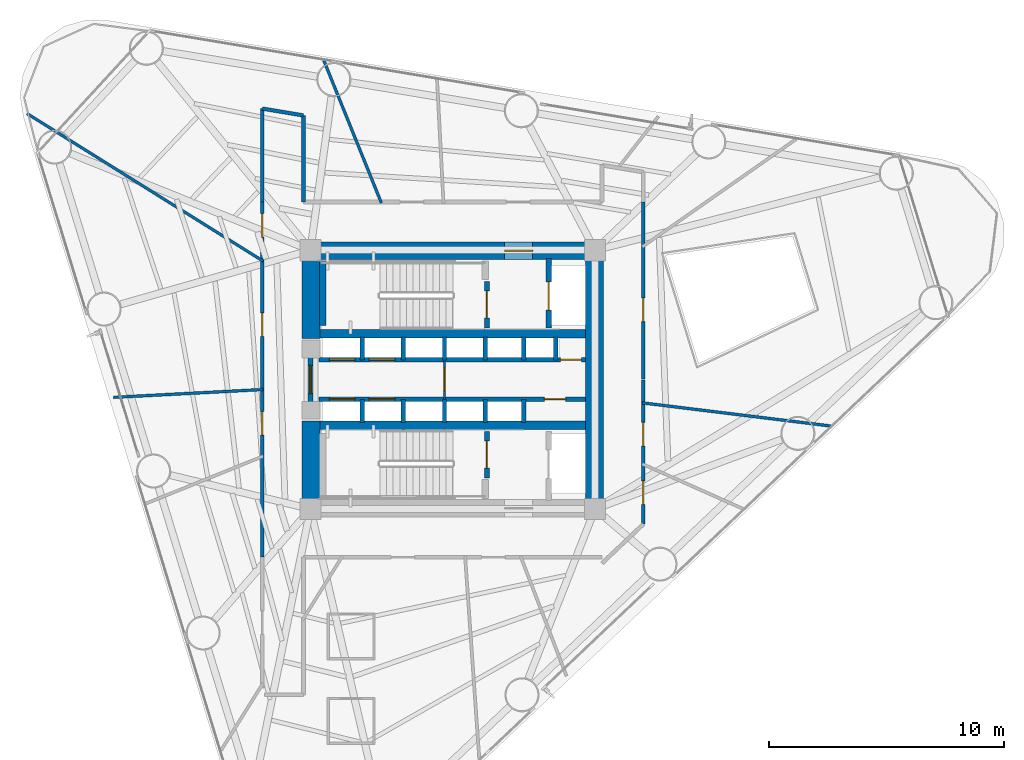
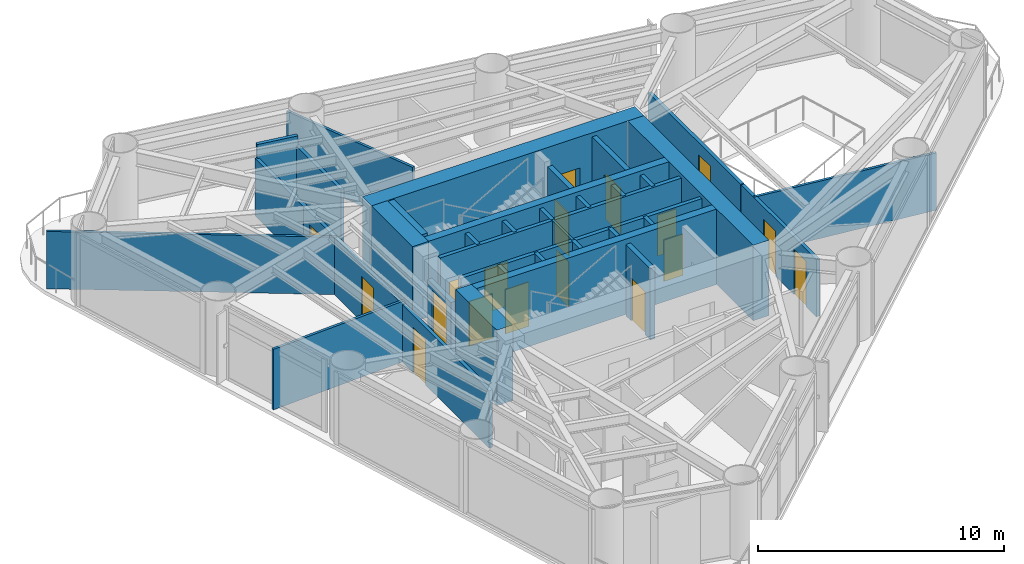
# One storey, part 6 of 10: 35 walls, 18 doors, 18 openings.
"""IFC4 building model written with IfcOpenShell, lengths in metres."""

import ifcopenshell
import ifcopenshell.guid

model = None  # the IFC model being written
_history = None  # IfcOwnerHistory: only IFC2X3 demands one
_inside = {}  # id of a spatial element -> (the spatial element, [elements in it])
_under = {}  # id of a project, library or spatial element -> (it, [spatial elements below it])
_declared = {}  # id of a project -> (the project, [libraries it declares])
_typed = {}  # id of a type object -> (the type object, [elements of that type])
_made_of = {}  # id of a material, layer set ... -> (it, [elements and type objects made of it])


def new_model(schema):
    """Start an empty IFC model of exactly this schema.

    Asked for "IFC4X3", IfcOpenShell would pick the latest addendum, in which some entities
    have other attributes; the version numbers below select the first issue.
    IFC2X3 requires an IfcOwnerHistory on every rooted entity: one is made here for all.
    """
    global model, _history
    if schema == "IFC4X3":
        model = ifcopenshell.file(schema_version=(4, 3, 0, 0))
    else:
        model = ifcopenshell.file(schema=schema)
    _inside.clear()
    _under.clear()
    _declared.clear()
    _typed.clear()
    _made_of.clear()
    _history = None
    if model.schema == "IFC2X3":
        org = make("IfcOrganization", Name="unknown")
        user = make(
            "IfcPersonAndOrganization",
            ThePerson=make("IfcPerson", FamilyName="unknown"),
            TheOrganization=org,
        )
        app = make(
            "IfcApplication",
            ApplicationDeveloper=org,
            Version="unknown",
            ApplicationFullName="unknown",
            ApplicationIdentifier="unknown",
        )
        _history = make(
            "IfcOwnerHistory",
            OwningUser=user,
            OwningApplication=app,
            ChangeAction="ADDED",
            CreationDate=0,
        )
    return model


def make(cls, **values):
    """One entity of the class cls with the attributes given. An attribute that is None is left unset."""
    return model.create_entity(
        cls, **{name: value for name, value in values.items() if value is not None}
    )


def rooted(cls, **values):
    """An entity with a GlobalId (a new one), such as an element, a storey or a relation."""
    return make(cls, GlobalId=ifcopenshell.guid.new(), OwnerHistory=_history, **values)


def si_unit(unit_type, name, prefix=None):
    """IfcSIUnit, for example si_unit("LENGTHUNIT", "METRE", prefix="MILLI")."""
    return make("IfcSIUnit", UnitType=unit_type, Prefix=prefix, Name=name)


def assignment(units):
    """IfcUnitAssignment: the units of a project."""
    return None if units is None else make("IfcUnitAssignment", Units=units)


def point(xyz):
    """IfcCartesianPoint."""
    return None if xyz is None else make("IfcCartesianPoint", Coordinates=xyz)


def direction(xyz):
    """IfcDirection."""
    return None if xyz is None else make("IfcDirection", DirectionRatios=xyz)


def frame(location, z_axis=None, x_axis=None):
    """IfcAxis2Placement3D, a coordinate frame: its origin and axes. An axis left out is left unset."""
    return make(
        "IfcAxis2Placement3D",
        Location=point(location),
        Axis=direction(z_axis),
        RefDirection=direction(x_axis),
    )


def frame_2d(location, x_axis=None):
    """IfcAxis2Placement2D, a coordinate frame in the plane: its origin and x axis."""
    return make(
        "IfcAxis2Placement2D", Location=point(location), RefDirection=direction(x_axis)
    )


def origin():
    """The frame at (0, 0, 0) with its axes left unset."""
    return frame((0.0, 0.0, 0.0))


def place(relative_to, where):
    """IfcLocalPlacement: puts the frame where relative to a parent placement (None: the world)."""
    return make(
        "IfcLocalPlacement", PlacementRelTo=relative_to, RelativePlacement=where
    )


def context(
    kind, dimensions, precision=None, world=None, true_north=None, identifier=None
):
    """IfcGeometricRepresentationContext, for example the 3D "Model" context."""
    return make(
        "IfcGeometricRepresentationContext",
        ContextIdentifier=identifier,
        ContextType=kind,
        CoordinateSpaceDimension=dimensions,
        Precision=precision,
        WorldCoordinateSystem=world,
        TrueNorth=true_north,
    )


def subcontext(parent, identifier, kind, view, scale=None):
    """IfcGeometricRepresentationSubContext, for example "Body" below "Model"."""
    return make(
        "IfcGeometricRepresentationSubContext",
        ContextIdentifier=identifier,
        ContextType=kind,
        ParentContext=parent,
        TargetScale=scale,
        TargetView=view,
    )


def project(units=None, contexts=None):
    """IfcProject with its units and contexts."""
    return rooted(
        "IfcProject",
        Name="project",
        RepresentationContexts=contexts,
        UnitsInContext=assignment(units),
    )


def spatial(cls, under=None, at=None, **own):
    """A site, building, storey or space (cls), placed at a placement, below another one or the project."""
    s = rooted(cls, ObjectPlacement=at, **own)
    if under is not None:
        _under.setdefault(under.id(), (under, []))[1].append(s)
    return s


def profile(cls, at=None, kind="AREA", **sizes):
    """A parametric profile (cls). Its sizes go by their IFC names, for example OverallWidth=200.0."""
    return make(cls, ProfileType=kind, Position=at, **sizes)


def rectangle(**sizes):
    """IfcRectangleProfileDef."""
    return profile("IfcRectangleProfileDef", **sizes)


def extrude(swept, where, along, depth):
    """IfcExtrudedAreaSolid: the profile swept, set in the frame where, extruded along a direction by depth."""
    return make(
        "IfcExtrudedAreaSolid",
        SweptArea=swept,
        Position=where,
        ExtrudedDirection=direction(along),
        Depth=depth,
    )


def shape(context_of_items, identifier, shape_type, items):
    """IfcShapeRepresentation: the items that make up one representation, for example the "Body"."""
    return make(
        "IfcShapeRepresentation",
        ContextOfItems=context_of_items,
        RepresentationIdentifier=identifier,
        RepresentationType=shape_type,
        Items=items,
    )


def material(Name=None, Category=None):
    """IfcMaterial."""
    return make("IfcMaterial", Name=Name, Category=Category)


def layer(
    of_material, thickness, ventilated=None, Name=None, Category=None, Priority=None
):
    """IfcMaterialLayer: one layer of a wall or slab, of a material (None: an air gap)."""
    return make(
        "IfcMaterialLayer",
        Material=of_material,
        LayerThickness=thickness,
        IsVentilated=ventilated,
        Name=Name,
        Category=Category,
        Priority=Priority,
    )


def layer_set(layers, Name=None):
    """IfcMaterialLayerSet."""
    return make("IfcMaterialLayerSet", MaterialLayers=layers, LayerSetName=Name)


def made_of(thing, what):
    """Note that an element or type object is made of a material, layer set ...; save() writes the relation."""
    if what is not None:
        _made_of.setdefault(what.id(), (what, []))[1].append(thing)
    return thing


def type_object(cls, material=None, **own):
    """A type object (cls), such as IfcWallType, which elements share."""
    return made_of(rooted(cls, **own), material)


def element(
    cls,
    number,
    at=None,
    inside=None,
    cuts=None,
    type_object=None,
    material=None,
    context=None,
    identifier="Body",
    shape_type=None,
    held_by="IfcProductDefinitionShape",
    body=None,
    shapes=None,
    **own,
):
    """One element of the class cls, such as IfcWall. Its Tag is "e" and its number.

    at: its placement. inside: the storey or other place that contains it. cuts: it is an
    opening in that element (IfcRelVoidsElement). A single representation is given by context,
    identifier, shape_type and body (its items); several are given by shapes. held_by: the class
    of the entity that holds the representations. save() writes the other relations.
    """
    e = rooted(cls, Tag="e%d" % number, ObjectPlacement=at, **own)
    if body is not None:
        shapes = [shape(context, identifier, shape_type, body)]
    if shapes is not None:
        e.Representation = make(held_by, Representations=shapes)
    if inside is not None:
        _inside.setdefault(inside.id(), (inside, []))[1].append(e)
    if cuts is not None:
        rooted(
            "IfcRelVoidsElement", RelatingBuildingElement=cuts, RelatedOpeningElement=e
        )
    if type_object is not None:
        _typed.setdefault(type_object.id(), (type_object, []))[1].append(e)
    return made_of(e, material)


def fill(opening, filler):
    """IfcRelFillsElement: the door or window that sits in an opening."""
    return rooted(
        "IfcRelFillsElement",
        RelatingOpeningElement=opening,
        RelatedBuildingElement=filler,
    )


def aggregate(whole, parts):
    """IfcRelAggregates: a whole, such as a stair, and the parts it consists of."""
    return rooted("IfcRelAggregates", RelatingObject=whole, RelatedObjects=parts)


def save(model, path):
    """Write the relations noted so far, then the file.

    IfcRelAggregates (storeys below a building ...), IfcRelContainedInSpatialStructure (elements
    in a storey), IfcRelDefinesByType, IfcRelAssociatesMaterial and IfcRelDeclares: one each for
    every whole, place, type object, material and project.
    """
    for whole, parts in _under.values():
        aggregate(whole, parts)
    for where, things in _inside.values():
        rooted(
            "IfcRelContainedInSpatialStructure",
            RelatedElements=things,
            RelatingStructure=where,
        )
    for kind, things in _typed.values():
        rooted("IfcRelDefinesByType", RelatedObjects=things, RelatingType=kind)
    for what, things in _made_of.values():
        rooted("IfcRelAssociatesMaterial", RelatedObjects=things, RelatingMaterial=what)
    for by, libraries in _declared.values():
        rooted("IfcRelDeclares", RelatingContext=by, RelatedDefinitions=libraries)
    model.write(path)


model = new_model("IFC4")

# Units and contexts
model_context = context("Model", 3, precision=1e-05, world=origin(), true_north=direction((0.0, 1.0)))
body_context = subcontext(model_context, "Body", "Model", "MODEL_VIEW")
ifc_project = project(units=[si_unit("LENGTHUNIT", "METRE"), si_unit("AREAUNIT", "SQUARE_METRE"), si_unit("VOLUMEUNIT", "CUBIC_METRE"), si_unit("PLANEANGLEUNIT", "RADIAN"), si_unit("MASSUNIT", "GRAM", prefix="KILO")], contexts=[model_context])

# Site, building, storey
site_placement = place(None, origin())
site = spatial("IfcSite", under=ifc_project, at=site_placement, CompositionType="ELEMENT")
building_placement = place(site_placement, origin())
building = spatial("IfcBuilding", under=site, at=building_placement, Name="Yunling Apex Tower", CompositionType="ELEMENT")
storey_placement = place(building_placement, frame((0.0, 0.0, 108.64990234375)))
storey = spatial("IfcBuildingStorey", under=building, at=storey_placement, Name="L27", CompositionType="ELEMENT", Elevation=108.64990234375)

# Wall, opening, door
ifc_material_1 = material(Name="Concrete C60", Category="concrete")
ifc_layer_1 = layer(ifc_material_1, 0.75)
ifc_layer_set_1 = layer_set([ifc_layer_1], Name="Concrete C60")
wall_type_1 = type_object("IfcWallType", Name="WL-COR-1", PredefinedType="SHEAR", material=ifc_layer_set_1)
wall_1_placement = place(storey_placement, frame((-6.39990234375, 5.47509765625, 0.0), z_axis=(0.0, 0.0, 1.0), x_axis=(1.0, 0.0, 0.0)))
wall_1 = element("IfcWall", 1, at=wall_1_placement, inside=storey, type_object=wall_type_1, Name="L27 North Core Shear Wall", PredefinedType="SHEAR", context=body_context, shape_type="SweptSolid", body=[
    extrude(rectangle(XDim=12.7998046875, YDim=0.75, at=frame_2d((6.39990234375, 0.0))), origin(), (0.0, 0.0, 1.0), 3.75),
])
opening_1_placement = place(wall_1_placement, frame((8.60009765625, 0.0, 0.0)))
opening_1 = element("IfcOpeningElement", 2, at=opening_1_placement, cuts=wall_1, Name="Opening DR-FFL-1", PredefinedType="OPENING", context=body_context, shape_type="SweptSolid", body=[
    extrude(rectangle(XDim=1.199951171875, YDim=2.199951171875, at=frame_2d((0.60009765625, 1.10009765625))), frame((0.0, 0.385009765625, 0.0), z_axis=(0.0, -1.0, 0.0), x_axis=(1.0, 0.0, 0.0)), (0.0, 0.0, 1.0), 0.77001953125),
])
ifc_material_2 = material(Name="Steel Q355B", Category="steel")
door_type_1 = type_object("IfcDoorType", Name="DR-FFL-1", OperationType="NOTDEFINED", PredefinedType="DOOR", material=ifc_material_2)
door_1_placement = place(opening_1_placement, origin())
door_1 = element("IfcDoor", 3, at=door_1_placement, inside=storey, type_object=door_type_1, Name="L27 North Firefighting Lobby Door", OperationType="SINGLE_SWING_LEFT", OverallHeight=2.199951171875, OverallWidth=1.199951171875, PredefinedType="DOOR", context=body_context, shape_type="SweptSolid", body=[
    extrude(rectangle(XDim=1.199951171875, YDim=2.199951171875, at=frame_2d((0.60009765625, 1.10009765625))), frame((0.0, 0.02490234375, 0.0), z_axis=(0.0, -1.0, 0.0), x_axis=(1.0, 0.0, 0.0)), (0.0, 0.0, 1.0), 0.050048828125),
])
fill(opening_1, door_1)

# Walls
wall_2_placement = place(storey_placement, frame((6.02490234375, -5.10009765625, 0.0), z_axis=(0.0, 0.0, 1.0), x_axis=(0.0, 1.0, 0.0)))
element("IfcWall", 4, at=wall_2_placement, inside=storey, type_object=wall_type_1, Name="L27 East Core Shear Wall", PredefinedType="SHEAR", context=body_context, shape_type="SweptSolid", body=[
    extrude(rectangle(XDim=10.2001953125, YDim=0.75, at=frame_2d((5.10009765625, 0.0))), origin(), (0.0, 0.0, 1.0), 3.75),
])
for number, where, z_axis, x_axis, name in (
    (5, (-6.02490234375, -5.10009765625, 0.0), (0.0, 0.0, 1.0), (0.0, 1.0, 0.0), "L27 West-South Core Shear Wall"),
    (6, (-6.02490234375, 1.75, 0.0), (0.0, 0.0, 1.0), (0.0, 1.0, 0.0), "L27 West-North Core Shear Wall"),
):
    element("IfcWall", number, at=place(storey_placement, frame(where, z_axis=z_axis, x_axis=x_axis)), inside=storey, type_object=wall_type_1, Name=name, PredefinedType="SHEAR", context=body_context, shape_type="SweptSolid", body=[
        extrude(rectangle(XDim=3.35009765625, YDim=0.75, at=frame_2d((1.675048828125, 0.0))), origin(), (0.0, 0.0, 1.0), 3.75),
    ])
ifc_material_3 = material(Name="Concrete C40", Category="concrete")
ifc_layer_2 = layer(ifc_material_3, 0.360107421875)
ifc_layer_set_2 = layer_set([ifc_layer_2], Name="Concrete C40")
wall_type_2 = type_object("IfcWallType", Name="WL-COR-4", PredefinedType="SHEAR", material=ifc_layer_set_2)
for number, where, z_axis, x_axis, name in (
    (7, (-5.64990234375, 1.93994140625, 0.0), (0.0, 0.0, 1.0), (1.0, 0.0, 0.0), "L27 North Internal Core Shear Wall"),
    (8, (-5.64990234375, -1.93994140625, 0.0), (0.0, 0.0, 1.0), (1.0, 0.0, 0.0), "L27 South Internal Core Shear Wall"),
):
    element("IfcWall", number, at=place(storey_placement, frame(where, z_axis=z_axis, x_axis=x_axis)), inside=storey, type_object=wall_type_2, Name=name, PredefinedType="SHEAR", context=body_context, shape_type="SweptSolid", body=[
        extrude(rectangle(XDim=11.2998046875, YDim=0.360107421875, at=frame_2d((5.64990234375, 0.0))), origin(), (0.0, 0.0, 1.0), 3.75),
    ])
ifc_layer_3 = layer(ifc_material_3, 0.280029296875)
ifc_layer_set_3 = layer_set([ifc_layer_3], Name="Concrete C40")
wall_type_3 = type_object("IfcWallType", Name="WL-COR-8", PredefinedType="SHEAR", material=ifc_layer_set_3)
wall_3_placement = place(storey_placement, frame((-5.52001953125, 2.300048828125, 0.0), z_axis=(0.0, 0.0, 1.0), x_axis=(0.0, 1.0, 0.0)))
element("IfcWall", 9, at=wall_3_placement, inside=storey, type_object=wall_type_3, Name="L27 ST-1 West Landing Bearing Wall", PredefinedType="SHEAR", context=body_context, shape_type="SweptSolid", body=[
    extrude(rectangle(XDim=2.75, YDim=0.280029296875, at=frame_2d((1.375, 0.0))), origin(), (0.0, 0.0, 1.0), 3.75),
])

# Wall, openings, doors
ifc_material_4 = material(Name="Gypsum board acoustic partition")
ifc_layer_4 = layer(ifc_material_4, 0.159912109375)
ifc_layer_set_4 = layer_set([ifc_layer_4], Name="Gypsum board acoustic partition")
wall_type_4 = type_object("IfcWallType", Name="WL-PRT-1", PredefinedType="PARTITIONING", material=ifc_layer_set_4)
wall_4_placement = place(storey_placement, frame((-8.10009765625, -7.550048828125, 0.0), z_axis=(0.0, 0.0, 1.0), x_axis=(0.0, 1.0, 0.0)))
wall_4 = element("IfcWall", 10, at=wall_4_placement, inside=storey, type_object=wall_type_4, Name="WL-CORR-L27-03", PredefinedType="PARTITIONING", context=body_context, shape_type="SweptSolid", body=[
    extrude(rectangle(XDim=15.10009765625, YDim=0.159912109375, at=frame_2d((7.550048828125, 0.0))), origin(), (0.0, 0.0, 1.0), 2.85009765625),
])
opening_2_placement = place(wall_4_placement, frame((5.185302734375, 0.0, 0.0)))
opening_2 = element("IfcOpeningElement", 11, at=opening_2_placement, cuts=wall_4, Name="Opening DR-OFF-1", PredefinedType="OPENING", context=body_context, shape_type="SweptSolid", body=[
    extrude(rectangle(XDim=1.0, YDim=2.25, at=frame_2d((0.5, 1.125))), frame((0.0, 0.08984375, 0.0), z_axis=(0.0, -1.0, 0.0), x_axis=(1.0, 0.0, 0.0)), (0.0, 0.0, 1.0), 0.179931640625),
])
opening_3_placement = place(wall_4_placement, frame((9.390380859375, 0.0, 0.0)))
opening_3 = element("IfcOpeningElement", 12, at=opening_3_placement, cuts=wall_4, Name="Opening DR-OFF-1", PredefinedType="OPENING", context=body_context, shape_type="SweptSolid", body=[
    extrude(rectangle(XDim=1.0, YDim=2.25, at=frame_2d((0.5, 1.125))), frame((0.0, 0.08984375, 0.0), z_axis=(0.0, -1.0, 0.0), x_axis=(1.0, 0.0, 0.0)), (0.0, 0.0, 1.0), 0.179931640625),
])
opening_4_placement = place(wall_4_placement, frame((13.607421875, 0.0, 0.0)))
opening_4 = element("IfcOpeningElement", 13, at=opening_4_placement, cuts=wall_4, Name="Opening DR-OFF-1", PredefinedType="OPENING", context=body_context, shape_type="SweptSolid", body=[
    extrude(rectangle(XDim=1.0, YDim=2.25, at=frame_2d((0.5, 1.125))), frame((0.0, 0.08984375, 0.0), z_axis=(0.0, -1.0, 0.0), x_axis=(1.0, 0.0, 0.0)), (0.0, 0.0, 1.0), 0.179931640625),
])
ifc_material_5 = material(Name="Bronze anodised aluminium", Category="aluminium")
door_type_2 = type_object("IfcDoorType", Name="DR-OFF-1", OperationType="NOTDEFINED", PredefinedType="DOOR", material=ifc_material_5)
door_2_placement = place(opening_2_placement, origin())
door_2 = element("IfcDoor", 14, at=door_2_placement, inside=storey, type_object=door_type_2, Name="L27 Business Reading Lounge Door", OperationType="SINGLE_SWING_RIGHT", OverallHeight=2.25, OverallWidth=1.0, PredefinedType="DOOR", context=body_context, shape_type="SweptSolid", body=[
    extrude(rectangle(XDim=1.0, YDim=2.25, at=frame_2d((0.5, 1.125))), frame((0.0, 0.02490234375, 0.0), z_axis=(0.0, -1.0, 0.0), x_axis=(1.0, 0.0, 0.0)), (0.0, 0.0, 1.0), 0.050048828125),
])
fill(opening_2, door_2)
door_3_placement = place(opening_3_placement, origin())
door_3 = element("IfcDoor", 15, at=door_3_placement, inside=storey, type_object=door_type_2, Name="L27 Document Archive Store Door", OperationType="SINGLE_SWING_LEFT", OverallHeight=2.25, OverallWidth=1.0, PredefinedType="DOOR", context=body_context, shape_type="SweptSolid", body=[
    extrude(rectangle(XDim=1.0, YDim=2.25, at=frame_2d((0.5, 1.125))), frame((0.0, 0.02490234375, 0.0), z_axis=(0.0, -1.0, 0.0), x_axis=(1.0, 0.0, 0.0)), (0.0, 0.0, 1.0), 0.050048828125),
])
fill(opening_3, door_3)
door_4_placement = place(opening_4_placement, origin())
door_4 = element("IfcDoor", 16, at=door_4_placement, inside=storey, type_object=door_type_2, Name="L27 Client Reception Foyer Door", OperationType="SINGLE_SWING_RIGHT", OverallHeight=2.25, OverallWidth=1.0, PredefinedType="DOOR", context=body_context, shape_type="SweptSolid", body=[
    extrude(rectangle(XDim=1.0, YDim=2.25, at=frame_2d((0.5, 1.125))), frame((0.0, 0.02490234375, 0.0), z_axis=(0.0, -1.0, 0.0), x_axis=(1.0, 0.0, 0.0)), (0.0, 0.0, 1.0), 0.050048828125),
])
fill(opening_4, door_4)

# Walls
wall_5_placement = place(storey_placement, frame((-8.10009765625, 7.550048828125, 0.0), z_axis=(0.0, 0.0, 1.0), x_axis=(0.0, 1.0, 0.0)))
element("IfcWall", 17, at=wall_5_placement, inside=storey, type_object=wall_type_4, Name="WL-CORR-L27-04", PredefinedType="PARTITIONING", context=body_context, shape_type="SweptSolid", body=[
    extrude(rectangle(XDim=3.970703125, YDim=0.159912109375, at=frame_2d((1.9853515625, 0.0))), origin(), (0.0, 0.0, 1.0), 2.85009765625),
])
wall_6_placement = place(storey_placement, frame((-8.10009765625, 11.520751953125, 0.0), z_axis=(0.0, 0.0, 1.0), x_axis=(0.986408796856, -0.164309724253, 0.0)))
element("IfcWall", 18, at=wall_6_placement, inside=storey, type_object=wall_type_4, Name="WL-CORR-L27-05", PredefinedType="PARTITIONING", context=body_context, shape_type="SweptSolid", body=[
    extrude(rectangle(XDim=1.774169921875, YDim=0.159912109375, at=frame_2d((0.88720703125, 0.0))), origin(), (0.0, 0.0, 1.0), 3.545166015625),
])
wall_7_placement = place(storey_placement, frame((-6.35009765625, 11.229248046875, 0.0), z_axis=(0.0, 0.0, 1.0), x_axis=(0.0, -1.0, 0.0)))
element("IfcWall", 19, at=wall_7_placement, inside=storey, type_object=wall_type_4, Name="WL-CORR-L27-06", PredefinedType="PARTITIONING", context=body_context, shape_type="SweptSolid", body=[
    extrude(rectangle(XDim=3.67919921875, YDim=0.159912109375, at=frame_2d((1.839599609375, 0.0))), origin(), (0.0, 0.0, 1.0), 3.050048828125),
])

# Wall, opening, door
wall_8_placement = place(storey_placement, frame((8.10009765625, 7.550048828125, 0.0), z_axis=(0.0, 0.0, 1.0), x_axis=(0.0, -1.0, 0.0)))
wall_8 = element("IfcWall", 20, at=wall_8_placement, inside=storey, type_object=wall_type_4, Name="WL-CORR-L27-11", PredefinedType="PARTITIONING", context=body_context, shape_type="SweptSolid", body=[
    extrude(rectangle(XDim=7.530029296875, YDim=0.159912109375, at=frame_2d((3.76513671875, 0.0))), origin(), (0.0, 0.0, 1.0), 2.85009765625),
])
opening_5_placement = place(wall_8_placement, frame((4.08203125, 0.0, 0.0)))
opening_5 = element("IfcOpeningElement", 21, at=opening_5_placement, cuts=wall_8, Name="Opening DR-OFF-1", PredefinedType="OPENING", context=body_context, shape_type="SweptSolid", body=[
    extrude(rectangle(XDim=1.0, YDim=2.25, at=frame_2d((0.5, 1.125))), frame((0.0, 0.08984375, 0.0), z_axis=(0.0, -1.0, 0.0), x_axis=(1.0, 0.0, 0.0)), (0.0, 0.0, 1.0), 0.179931640625),
])
door_5_placement = place(opening_5_placement, origin())
door_5 = element("IfcDoor", 22, at=door_5_placement, inside=storey, type_object=door_type_2, Name="L27 Executive Office Door", OperationType="SINGLE_SWING_LEFT", OverallHeight=2.25, OverallWidth=1.0, PredefinedType="DOOR", context=body_context, shape_type="SweptSolid", body=[
    extrude(rectangle(XDim=1.0, YDim=2.25, at=frame_2d((0.5, 1.125))), frame((0.0, 0.02490234375, 0.0), z_axis=(0.0, -1.0, 0.0), x_axis=(1.0, 0.0, 0.0)), (0.0, 0.0, 1.0), 0.050048828125),
])
fill(opening_5, door_5)

# Wall, openings, doors
wall_9_placement = place(storey_placement, frame((8.10009765625, -0.02001953125, 0.0), z_axis=(0.0, 0.0, 1.0), x_axis=(0.0, -1.0, 0.0)))
wall_9 = element("IfcWall", 23, at=wall_9_placement, inside=storey, type_object=wall_type_4, Name="WL-CORR-L27-12", PredefinedType="PARTITIONING", context=body_context, shape_type="SweptSolid", body=[
    extrude(rectangle(XDim=6.126220703125, YDim=0.159912109375, at=frame_2d((3.06298828125, 0.0))), origin(), (0.0, 0.0, 1.0), 2.85009765625),
])
opening_6_placement = place(wall_9_placement, frame((1.801025390625, 0.0, 0.0)))
opening_6 = element("IfcOpeningElement", 24, at=opening_6_placement, cuts=wall_9, Name="Opening DR-OFF-1", PredefinedType="OPENING", context=body_context, shape_type="SweptSolid", body=[
    extrude(rectangle(XDim=1.0, YDim=2.25, at=frame_2d((0.5, 1.125))), frame((0.0, 0.08984375, 0.0), z_axis=(0.0, -1.0, 0.0), x_axis=(1.0, 0.0, 0.0)), (0.0, 0.0, 1.0), 0.179931640625),
])
opening_7_placement = place(wall_9_placement, frame((4.28369140625, 0.0, 0.0)))
opening_7 = element("IfcOpeningElement", 25, at=opening_7_placement, cuts=wall_9, Name="Opening DR-OFF-1", PredefinedType="OPENING", context=body_context, shape_type="SweptSolid", body=[
    extrude(rectangle(XDim=1.0, YDim=2.25, at=frame_2d((0.5, 1.125))), frame((0.0, 0.08984375, 0.0), z_axis=(0.0, -1.0, 0.0), x_axis=(1.0, 0.0, 0.0)), (0.0, 0.0, 1.0), 0.179931640625),
])
door_6_placement = place(opening_6_placement, origin())
door_6 = element("IfcDoor", 26, at=door_6_placement, inside=storey, type_object=door_type_2, Name="L27 Document Archive Store Door", OperationType="SINGLE_SWING_RIGHT", OverallHeight=2.25, OverallWidth=1.0, PredefinedType="DOOR", context=body_context, shape_type="SweptSolid", body=[
    extrude(rectangle(XDim=1.0, YDim=2.25, at=frame_2d((0.5, 1.125))), frame((0.0, 0.02490234375, 0.0), z_axis=(0.0, -1.0, 0.0), x_axis=(1.0, 0.0, 0.0)), (0.0, 0.0, 1.0), 0.050048828125),
])
fill(opening_6, door_6)
door_7_placement = place(opening_7_placement, origin())
door_7 = element("IfcDoor", 27, at=door_7_placement, inside=storey, type_object=door_type_2, Name="L27 Client Reception Foyer Door", OperationType="SINGLE_SWING_LEFT", OverallHeight=2.25, OverallWidth=1.0, PredefinedType="DOOR", context=body_context, shape_type="SweptSolid", body=[
    extrude(rectangle(XDim=1.0, YDim=2.25, at=frame_2d((0.5, 1.125))), frame((0.0, 0.02490234375, 0.0), z_axis=(0.0, -1.0, 0.0), x_axis=(1.0, 0.0, 0.0)), (0.0, 0.0, 1.0), 0.050048828125),
])
fill(opening_7, door_7)

# Walls
ifc_layer_5 = layer(ifc_material_4, 0.1201171875)
ifc_layer_set_5 = layer_set([ifc_layer_5], Name="Gypsum board acoustic partition")
wall_type_5 = type_object("IfcWallType", Name="WL-PRT-3", PredefinedType="PARTITIONING", material=ifc_layer_set_5)
wall_10_placement = place(storey_placement, frame((-8.06005859375, -0.42236328125, 0.0), z_axis=(0.0, 0.0, 1.0), x_axis=(-0.998629334036, -0.052339786045, 0.0)))
element("IfcWall", 28, at=wall_10_placement, inside=storey, type_object=wall_type_5, Name="WL-RAD-L27-01", PredefinedType="PARTITIONING", context=body_context, shape_type="SweptSolid", body=[
    extrude(rectangle(XDim=6.37646484375, YDim=0.1201171875, at=frame_2d((3.188232421875, 0.0))), origin(), (0.0, 0.0, 1.0), 3.010009765625),
])
wall_11_placement = place(storey_placement, frame((8.06005859375, -0.989501953125, 0.0), z_axis=(0.0, 0.0, 1.0), x_axis=(0.99254191086, -0.121903876831, 0.0)))
element("IfcWall", 29, at=wall_11_placement, inside=storey, type_object=wall_type_5, Name="WL-RAD-L27-08", PredefinedType="PARTITIONING", context=body_context, shape_type="SweptSolid", body=[
    extrude(rectangle(XDim=8.052978515625, YDim=0.1201171875, at=frame_2d((4.0263671875, 0.0))), origin(), (0.0, 0.0, 1.0), 2.85009765625),
])
wall_12_placement = place(storey_placement, frame((-3.0341796875, 7.510009765625, 0.0), z_axis=(0.0, 0.0, 1.0), x_axis=(-0.37460229318, 0.927185591963, 0.0)))
element("IfcWall", 30, at=wall_12_placement, inside=storey, type_object=wall_type_5, Name="WL-RAD-L27-12", PredefinedType="PARTITIONING", context=body_context, shape_type="SweptSolid", body=[
    extrude(rectangle(XDim=6.5224609375, YDim=0.1201171875, at=frame_2d((3.26123046875, 0.0))), origin(), (0.0, 0.0, 1.0), 3.050048828125),
])
wall_13_placement = place(storey_placement, frame((-8.06005859375, 5.036376953125, 0.0), z_axis=(0.0, 0.0, 1.0), x_axis=(-0.848040015969, 0.529932195016, 0.0)))
element("IfcWall", 31, at=wall_13_placement, inside=storey, type_object=wall_type_5, Name="WL-RAD-L27-13", PredefinedType="PARTITIONING", context=body_context, shape_type="SweptSolid", body=[
    extrude(rectangle(XDim=11.8369140625, YDim=0.1201171875, at=frame_2d((5.91845703125, 0.0))), origin(), (0.0, 0.0, 1.0), 2.85009765625),
])

# Wall, opening, door
ifc_layer_6 = layer(ifc_material_4, 0.10009765625)
ifc_layer_set_6 = layer_set([ifc_layer_6], Name="Gypsum board acoustic partition")
wall_type_6 = type_object("IfcWallType", Name="WL-PRT-4", PredefinedType="PARTITIONING", material=ifc_layer_set_6)
wall_14_placement = place(storey_placement, frame((-0.35009765625, -0.840087890625, 0.0), z_axis=(0.0, 0.0, 1.0), x_axis=(0.0, 1.0, 0.0)))
wall_14 = element("IfcWall", 32, at=wall_14_placement, inside=storey, type_object=wall_type_6, Name="WL-LOB-MID-L27", PredefinedType="PARTITIONING", context=body_context, shape_type="SweptSolid", body=[
    extrude(rectangle(XDim=1.68017578125, YDim=0.10009765625, at=frame_2d((0.840087890625, 0.0))), origin(), (0.0, 0.0, 1.0), 3.545166015625),
])
opening_8_placement = place(wall_14_placement, frame((0.340087890625, 0.0, 0.0)))
opening_8 = element("IfcOpeningElement", 33, at=opening_8_placement, cuts=wall_14, Name="Opening DR-OFF-1", PredefinedType="OPENING", context=body_context, shape_type="SweptSolid", body=[
    extrude(rectangle(XDim=1.0, YDim=2.25, at=frame_2d((0.5, 1.125))), frame((0.0, 0.06005859375, 0.0), z_axis=(0.0, -1.0, 0.0), x_axis=(1.0, 0.0, 0.0)), (0.0, 0.0, 1.0), 0.1201171875),
])
door_8_placement = place(opening_8_placement, origin())
door_8 = element("IfcDoor", 34, at=door_8_placement, inside=storey, type_object=door_type_2, Name="L27 Core Lobby Link Door", OperationType="SINGLE_SWING_LEFT", OverallHeight=2.25, OverallWidth=1.0, PredefinedType="DOOR", context=body_context, shape_type="SweptSolid", body=[
    extrude(rectangle(XDim=1.0, YDim=2.25, at=frame_2d((0.5, 1.125))), frame((0.0, 0.02490234375, 0.0), z_axis=(0.0, -1.0, 0.0), x_axis=(1.0, 0.0, 0.0)), (0.0, 0.0, 1.0), 0.050048828125),
])
fill(opening_8, door_8)

ifc_material_6 = material(Name="Autoclaved aerated concrete masonry", Category="masonry")
ifc_layer_7 = layer(ifc_material_6, 0.219970703125)
ifc_layer_set_7 = layer_set([ifc_layer_7], Name="Autoclaved aerated concrete masonry")
wall_type_7 = type_object("IfcWallType", Name="WL-SHF-1", PredefinedType="PLUMBINGWALL", material=ifc_layer_set_7)
wall_15_placement = place(storey_placement, frame((-6.050048828125, -0.949951171875, 0.0), z_axis=(0.0, 0.0, 1.0), x_axis=(0.0, 1.0, 0.0)))
wall_15 = element("IfcWall", 35, at=wall_15_placement, inside=storey, type_object=wall_type_7, Name="WL-COR-WPORT-L27", PredefinedType="PLUMBINGWALL", context=body_context, shape_type="SweptSolid", body=[
    extrude(rectangle(XDim=1.89990234375, YDim=0.219970703125, at=frame_2d((0.949951171875, 0.0))), origin(), (0.0, 0.0, 1.0), 2.525146484375),
])
opening_9_placement = place(wall_15_placement, frame((0.35009765625, 0.0, 0.0)))
opening_9 = element("IfcOpeningElement", 36, at=opening_9_placement, cuts=wall_15, Name="Opening DR-FFL-1", PredefinedType="OPENING", context=body_context, shape_type="SweptSolid", body=[
    extrude(rectangle(XDim=1.199951171875, YDim=2.199951171875, at=frame_2d((0.60009765625, 1.10009765625))), frame((0.0, 0.1201171875, 0.0), z_axis=(0.0, -1.0, 0.0), x_axis=(1.0, 0.0, 0.0)), (0.0, 0.0, 1.0), 0.239990234375),
])
door_9_placement = place(opening_9_placement, origin())
door_9 = element("IfcDoor", 37, at=door_9_placement, inside=storey, type_object=door_type_1, Name="L27 Passenger Lift Lobby Entrance Door", OperationType="SINGLE_SWING_LEFT", OverallHeight=2.199951171875, OverallWidth=1.199951171875, PredefinedType="DOOR", context=body_context, shape_type="SweptSolid", body=[
    extrude(rectangle(XDim=1.199951171875, YDim=2.199951171875, at=frame_2d((0.60009765625, 1.10009765625))), frame((0.0, 0.02490234375, 0.0), z_axis=(0.0, -1.0, 0.0), x_axis=(1.0, 0.0, 0.0)), (0.0, 0.0, 1.0), 0.050048828125),
])
fill(opening_9, door_9)

wall_16_placement = place(storey_placement, frame((1.449951171875, 2.199951171875, 0.0), z_axis=(0.0, 0.0, 1.0), x_axis=(0.0, 1.0, 0.0)))
wall_16 = element("IfcWall", 38, at=wall_16_placement, inside=storey, type_object=wall_type_7, Name="WL-ST1-E-L27", PredefinedType="PLUMBINGWALL", context=body_context, shape_type="SweptSolid", body=[
    extrude(rectangle(XDim=1.97998046875, YDim=0.219970703125, at=frame_2d((0.989990234375, 0.0))), origin(), (0.0, 0.0, 1.0), 3.545166015625),
])
opening_10_placement = place(wall_16_placement, frame((0.419921875, 0.0, 0.0)))
opening_10 = element("IfcOpeningElement", 39, at=opening_10_placement, cuts=wall_16, Name="Opening DR-ST-1", PredefinedType="OPENING", context=body_context, shape_type="SweptSolid", body=[
    extrude(rectangle(XDim=1.14990234375, YDim=2.14990234375, at=frame_2d((0.574951171875, 1.074951171875))), frame((0.0, 0.1201171875, 0.0), z_axis=(0.0, -1.0, 0.0), x_axis=(1.0, 0.0, 0.0)), (0.0, 0.0, 1.0), 0.239990234375),
])
door_type_3 = type_object("IfcDoorType", Name="DR-ST-1", OperationType="NOTDEFINED", PredefinedType="DOOR", material=ifc_material_2)
door_10_placement = place(opening_10_placement, origin())
door_10 = element("IfcDoor", 40, at=door_10_placement, inside=storey, type_object=door_type_3, Name="L27 Stair ST-1 Fire Door", OperationType="SINGLE_SWING_LEFT", OverallHeight=2.14990234375, OverallWidth=1.14990234375, PredefinedType="DOOR", context=body_context, shape_type="SweptSolid", body=[
    extrude(rectangle(XDim=1.14990234375, YDim=2.14990234375, at=frame_2d((0.574951171875, 1.074951171875))), frame((0.0, 0.02490234375, 0.0), z_axis=(0.0, -1.0, 0.0), x_axis=(1.0, 0.0, 0.0)), (0.0, 0.0, 1.0), 0.050048828125),
])
fill(opening_10, door_10)

wall_17_placement = place(storey_placement, frame((4.080078125, 2.199951171875, 0.0), z_axis=(0.0, 0.0, 1.0), x_axis=(0.0, 1.0, 0.0)))
wall_17 = element("IfcWall", 41, at=wall_17_placement, inside=storey, type_object=wall_type_7, Name="WL-FFL1-W-L27", PredefinedType="PLUMBINGWALL", context=body_context, shape_type="SweptSolid", body=[
    extrude(rectangle(XDim=2.949951171875, YDim=0.219970703125, at=frame_2d((1.47509765625, 0.0))), origin(), (0.0, 0.0, 1.0), 3.545166015625),
])
opening_11_placement = place(wall_17_placement, frame((0.75, 0.0, 0.0)))
opening_11 = element("IfcOpeningElement", 42, at=opening_11_placement, cuts=wall_17, Name="Opening LD-FFL-1", PredefinedType="OPENING", context=body_context, shape_type="SweptSolid", body=[
    extrude(rectangle(XDim=1.199951171875, YDim=2.25, at=frame_2d((0.60009765625, 1.125))), frame((0.0, 0.1201171875, 0.0), z_axis=(0.0, -1.0, 0.0), x_axis=(1.0, 0.0, 0.0)), (0.0, 0.0, 1.0), 0.239990234375),
])
door_type_4 = type_object("IfcDoorType", Name="LD-FFL-1", OperationType="DOUBLE_DOOR_SLIDING", PredefinedType="DOOR", material=ifc_material_2)
door_11_placement = place(opening_11_placement, origin())
door_11 = element("IfcDoor", 43, at=door_11_placement, inside=storey, type_object=door_type_4, Name="L27 Lift FFL-1 Landing Door", OperationType="DOUBLE_DOOR_SLIDING", OverallHeight=2.25, OverallWidth=1.199951171875, PredefinedType="DOOR", context=body_context, shape_type="SweptSolid", body=[
    extrude(rectangle(XDim=1.199951171875, YDim=2.25, at=frame_2d((0.60009765625, 1.125))), frame((0.0, 0.02490234375, 0.0), z_axis=(0.0, -1.0, 0.0), x_axis=(1.0, 0.0, 0.0)), (0.0, 0.0, 1.0), 0.050048828125),
])
fill(opening_11, door_11)

wall_18_placement = place(storey_placement, frame((1.449951171875, -4.179931640625, 0.0), z_axis=(0.0, 0.0, 1.0), x_axis=(0.0, 1.0, 0.0)))
wall_18 = element("IfcWall", 44, at=wall_18_placement, inside=storey, type_object=wall_type_7, Name="WL-ST2-E-L27", PredefinedType="PLUMBINGWALL", context=body_context, shape_type="SweptSolid", body=[
    extrude(rectangle(XDim=1.97998046875, YDim=0.219970703125, at=frame_2d((0.989990234375, 0.0))), origin(), (0.0, 0.0, 1.0), 3.545166015625),
])
opening_12_placement = place(wall_18_placement, frame((0.419921875, 0.0, 0.0)))
opening_12 = element("IfcOpeningElement", 45, at=opening_12_placement, cuts=wall_18, Name="Opening DR-ST-1", PredefinedType="OPENING", context=body_context, shape_type="SweptSolid", body=[
    extrude(rectangle(XDim=1.14990234375, YDim=2.14990234375, at=frame_2d((0.574951171875, 1.074951171875))), frame((0.0, 0.1201171875, 0.0), z_axis=(0.0, -1.0, 0.0), x_axis=(1.0, 0.0, 0.0)), (0.0, 0.0, 1.0), 0.239990234375),
])
door_12_placement = place(opening_12_placement, origin())
door_12 = element("IfcDoor", 46, at=door_12_placement, inside=storey, type_object=door_type_3, Name="L27 Stair ST-2 Fire Door", OperationType="SINGLE_SWING_RIGHT", OverallHeight=2.14990234375, OverallWidth=1.14990234375, PredefinedType="DOOR", context=body_context, shape_type="SweptSolid", body=[
    extrude(rectangle(XDim=1.14990234375, YDim=2.14990234375, at=frame_2d((0.574951171875, 1.074951171875))), frame((0.0, 0.02490234375, 0.0), z_axis=(0.0, -1.0, 0.0), x_axis=(1.0, 0.0, 0.0)), (0.0, 0.0, 1.0), 0.050048828125),
])
fill(opening_12, door_12)

# Walls
ifc_layer_8 = layer(ifc_material_6, 0.179931640625)
ifc_layer_set_8 = layer_set([ifc_layer_8], Name="Autoclaved aerated concrete masonry")
wall_type_8 = type_object("IfcWallType", Name="WL-SHF-2", PredefinedType="PLUMBINGWALL", material=ifc_layer_set_8)
for number, where, z_axis, x_axis, name in (
    (47, (-3.85009765625, 0.840087890625, 0.0), (0.0, 0.0, 1.0), (0.0, 1.0, 0.0), "WL-DIV-L12-L27"),
    (48, (-3.85009765625, -1.820068359375, 0.0), (0.0, 0.0, 1.0), (0.0, 1.0, 0.0), "WL-DIV-L34-L27"),
    (49, (-2.10009765625, 0.840087890625, 0.0), (0.0, 0.0, 1.0), (0.0, 1.0, 0.0), "WL-BNK-LM-N-L27"),
    (50, (-2.10009765625, -1.820068359375, 0.0), (0.0, 0.0, 1.0), (0.0, 1.0, 0.0), "WL-BNK-LM-S-L27"),
    (51, (-0.35009765625, 0.840087890625, 0.0), (0.0, 0.0, 1.0), (0.0, 1.0, 0.0), "WL-DIV-M12-L27"),
    (52, (-0.35009765625, -1.820068359375, 0.0), (0.0, 0.0, 1.0), (0.0, 1.0, 0.0), "WL-DIV-M34-L27"),
    (53, (1.3798828125, 0.840087890625, 0.0), (0.0, 0.0, 1.0), (0.0, 1.0, 0.0), "WL-BNK-MH-N-L27"),
    (54, (1.3798828125, -1.820068359375, 0.0), (0.0, 0.0, 1.0), (0.0, 1.0, 0.0), "WL-BNK-MH-S-L27"),
    (55, (3.02001953125, 0.840087890625, 0.0), (0.0, 0.0, 1.0), (0.0, 1.0, 0.0), "WL-DIV-H13-L27"),
    (56, (4.3798828125, 0.840087890625, 0.0), (0.0, 0.0, 1.0), (0.0, 1.0, 0.0), "WL-END-H3E-L27"),
    (57, (3.02001953125, -1.820068359375, 0.0), (0.0, 0.0, 1.0), (0.0, 1.0, 0.0), "WL-END-H2E-L27"),
):
    element("IfcWall", number, at=place(storey_placement, frame(where, z_axis=z_axis, x_axis=x_axis)), inside=storey, type_object=wall_type_8, Name=name, PredefinedType="PLUMBINGWALL", context=body_context, shape_type="SweptSolid", body=[
        extrude(rectangle(XDim=0.97998046875, YDim=0.179931640625, at=frame_2d((0.489990234375, 0.0))), origin(), (0.0, 0.0, 1.0), 3.545166015625),
    ])

# Wall, openings, doors
wall_19_placement = place(storey_placement, frame((-5.679931640625, 0.840087890625, 0.0), z_axis=(0.0, 0.0, 1.0), x_axis=(1.0, 0.0, 0.0)))
wall_19 = element("IfcWall", 58, at=wall_19_placement, inside=storey, type_object=wall_type_8, Name="WL-LOB-N-L27", PredefinedType="PLUMBINGWALL", context=body_context, shape_type="SweptSolid", body=[
    extrude(rectangle(XDim=11.329833984375, YDim=0.179931640625, at=frame_2d((5.6650390625, 0.0))), origin(), (0.0, 0.0, 1.0), 3.545166015625),
])
opening_13_placement = place(wall_19_placement, frame((0.429931640625, 0.0, 0.0)))
opening_13 = element("IfcOpeningElement", 59, at=opening_13_placement, cuts=wall_19, Name="Opening LD-PAS-1", PredefinedType="OPENING", context=body_context, shape_type="SweptSolid", body=[
    extrude(rectangle(XDim=1.10009765625, YDim=2.199951171875, at=frame_2d((0.550048828125, 1.10009765625))), frame((0.0, 0.10009765625, 0.0), z_axis=(0.0, -1.0, 0.0), x_axis=(1.0, 0.0, 0.0)), (0.0, 0.0, 1.0), 0.199951171875),
])
opening_14_placement = place(wall_19_placement, frame((2.1298828125, 0.0, 0.0)))
opening_14 = element("IfcOpeningElement", 60, at=opening_14_placement, cuts=wall_19, Name="Opening LD-PAS-1", PredefinedType="OPENING", context=body_context, shape_type="SweptSolid", body=[
    extrude(rectangle(XDim=1.10009765625, YDim=2.199951171875, at=frame_2d((0.550048828125, 1.10009765625))), frame((0.0, 0.10009765625, 0.0), z_axis=(0.0, -1.0, 0.0), x_axis=(1.0, 0.0, 0.0)), (0.0, 0.0, 1.0), 0.199951171875),
])
opening_15_placement = place(wall_19_placement, frame((10.25, 0.0, 0.0)))
opening_15 = element("IfcOpeningElement", 61, at=opening_15_placement, cuts=wall_19, Name="Opening DR-SHF-1", PredefinedType="OPENING", context=body_context, shape_type="SweptSolid", body=[
    extrude(rectangle(XDim=0.89990234375, YDim=2.050048828125, at=frame_2d((0.449951171875, 1.02490234375))), frame((0.0, 0.10009765625, 0.0), z_axis=(0.0, -1.0, 0.0), x_axis=(1.0, 0.0, 0.0)), (0.0, 0.0, 1.0), 0.199951171875),
])
door_type_5 = type_object("IfcDoorType", Name="DR-SHF-1", OperationType="NOTDEFINED", PredefinedType="DOOR", material=ifc_material_2)
door_13_placement = place(opening_15_placement, origin())
door_13 = element("IfcDoor", 62, at=door_13_placement, inside=storey, type_object=door_type_5, Name="L27 Core Janitor Closet Door", OperationType="SINGLE_SWING_RIGHT", OverallHeight=2.050048828125, OverallWidth=0.89990234375, PredefinedType="DOOR", context=body_context, shape_type="SweptSolid", body=[
    extrude(rectangle(XDim=0.89990234375, YDim=2.050048828125, at=frame_2d((0.449951171875, 1.02490234375))), frame((0.0, 0.02490234375, 0.0), z_axis=(0.0, -1.0, 0.0), x_axis=(1.0, 0.0, 0.0)), (0.0, 0.0, 1.0), 0.050048828125),
])
fill(opening_15, door_13)
ifc_material_7 = material(Name="Silver anodised aluminium", Category="aluminium")
door_type_6 = type_object("IfcDoorType", Name="LD-PAS-1", OperationType="DOUBLE_DOOR_SLIDING", PredefinedType="DOOR", material=ifc_material_7)
door_14_placement = place(opening_13_placement, origin())
door_14 = element("IfcDoor", 63, at=door_14_placement, inside=storey, type_object=door_type_6, Name="L27 Lift PL-L1 Landing Door", OperationType="DOUBLE_DOOR_SLIDING", OverallHeight=2.199951171875, OverallWidth=1.10009765625, PredefinedType="DOOR", context=body_context, shape_type="SweptSolid", body=[
    extrude(rectangle(XDim=1.10009765625, YDim=2.199951171875, at=frame_2d((0.550048828125, 1.10009765625))), frame((0.0, 0.02490234375, 0.0), z_axis=(0.0, -1.0, 0.0), x_axis=(1.0, 0.0, 0.0)), (0.0, 0.0, 1.0), 0.050048828125),
])
fill(opening_13, door_14)
door_15_placement = place(opening_14_placement, origin())
door_15 = element("IfcDoor", 64, at=door_15_placement, inside=storey, type_object=door_type_6, Name="L27 Lift PL-L2 Landing Door", OperationType="DOUBLE_DOOR_SLIDING", OverallHeight=2.199951171875, OverallWidth=1.10009765625, PredefinedType="DOOR", context=body_context, shape_type="SweptSolid", body=[
    extrude(rectangle(XDim=1.10009765625, YDim=2.199951171875, at=frame_2d((0.550048828125, 1.10009765625))), frame((0.0, 0.02490234375, 0.0), z_axis=(0.0, -1.0, 0.0), x_axis=(1.0, 0.0, 0.0)), (0.0, 0.0, 1.0), 0.050048828125),
])
fill(opening_14, door_15)

wall_20_placement = place(storey_placement, frame((-5.679931640625, -0.840087890625, 0.0), z_axis=(0.0, 0.0, 1.0), x_axis=(1.0, 0.0, 0.0)))
wall_20 = element("IfcWall", 65, at=wall_20_placement, inside=storey, type_object=wall_type_8, Name="WL-LOB-S-L27", PredefinedType="PLUMBINGWALL", context=body_context, shape_type="SweptSolid", body=[
    extrude(rectangle(XDim=11.329833984375, YDim=0.179931640625, at=frame_2d((5.6650390625, 0.0))), origin(), (0.0, 0.0, 1.0), 3.545166015625),
])
opening_16_placement = place(wall_20_placement, frame((0.429931640625, 0.0, 0.0)))
opening_16 = element("IfcOpeningElement", 66, at=opening_16_placement, cuts=wall_20, Name="Opening LD-PAS-1", PredefinedType="OPENING", context=body_context, shape_type="SweptSolid", body=[
    extrude(rectangle(XDim=1.10009765625, YDim=2.199951171875, at=frame_2d((0.550048828125, 1.10009765625))), frame((0.0, 0.10009765625, 0.0), z_axis=(0.0, -1.0, 0.0), x_axis=(1.0, 0.0, 0.0)), (0.0, 0.0, 1.0), 0.199951171875),
])
opening_17_placement = place(wall_20_placement, frame((2.1298828125, 0.0, 0.0)))
opening_17 = element("IfcOpeningElement", 67, at=opening_17_placement, cuts=wall_20, Name="Opening LD-PAS-1", PredefinedType="OPENING", context=body_context, shape_type="SweptSolid", body=[
    extrude(rectangle(XDim=1.10009765625, YDim=2.199951171875, at=frame_2d((0.550048828125, 1.10009765625))), frame((0.0, 0.10009765625, 0.0), z_axis=(0.0, -1.0, 0.0), x_axis=(1.0, 0.0, 0.0)), (0.0, 0.0, 1.0), 0.199951171875),
])
opening_18_placement = place(wall_20_placement, frame((9.580078125, 0.0, 0.0)))
opening_18 = element("IfcOpeningElement", 68, at=opening_18_placement, cuts=wall_20, Name="Opening DR-SHF-1", PredefinedType="OPENING", context=body_context, shape_type="SweptSolid", body=[
    extrude(rectangle(XDim=0.89990234375, YDim=2.050048828125, at=frame_2d((0.449951171875, 1.02490234375))), frame((0.0, 0.10009765625, 0.0), z_axis=(0.0, -1.0, 0.0), x_axis=(1.0, 0.0, 0.0)), (0.0, 0.0, 1.0), 0.199951171875),
])
door_16_placement = place(opening_18_placement, origin())
door_16 = element("IfcDoor", 69, at=door_16_placement, inside=storey, type_object=door_type_5, Name="L27 Core MEP Service Door", OperationType="SINGLE_SWING_LEFT", OverallHeight=2.050048828125, OverallWidth=0.89990234375, PredefinedType="DOOR", context=body_context, shape_type="SweptSolid", body=[
    extrude(rectangle(XDim=0.89990234375, YDim=2.050048828125, at=frame_2d((0.449951171875, 1.02490234375))), frame((0.0, 0.02490234375, 0.0), z_axis=(0.0, -1.0, 0.0), x_axis=(1.0, 0.0, 0.0)), (0.0, 0.0, 1.0), 0.050048828125),
])
fill(opening_18, door_16)
door_17_placement = place(opening_16_placement, origin())
door_17 = element("IfcDoor", 70, at=door_17_placement, inside=storey, type_object=door_type_6, Name="L27 Lift PL-L3 Landing Door", OperationType="DOUBLE_DOOR_SLIDING", OverallHeight=2.199951171875, OverallWidth=1.10009765625, PredefinedType="DOOR", context=body_context, shape_type="SweptSolid", body=[
    extrude(rectangle(XDim=1.10009765625, YDim=2.199951171875, at=frame_2d((0.550048828125, 1.10009765625))), frame((0.0, 0.02490234375, 0.0), z_axis=(0.0, -1.0, 0.0), x_axis=(1.0, 0.0, 0.0)), (0.0, 0.0, 1.0), 0.050048828125),
])
fill(opening_16, door_17)
door_18_placement = place(opening_17_placement, origin())
door_18 = element("IfcDoor", 71, at=door_18_placement, inside=storey, type_object=door_type_6, Name="L27 Lift PL-L4 Landing Door", OperationType="DOUBLE_DOOR_SLIDING", OverallHeight=2.199951171875, OverallWidth=1.10009765625, PredefinedType="DOOR", context=body_context, shape_type="SweptSolid", body=[
    extrude(rectangle(XDim=1.10009765625, YDim=2.199951171875, at=frame_2d((0.550048828125, 1.10009765625))), frame((0.0, 0.02490234375, 0.0), z_axis=(0.0, -1.0, 0.0), x_axis=(1.0, 0.0, 0.0)), (0.0, 0.0, 1.0), 0.050048828125),
])
fill(opening_17, door_18)

save(model, "model.ifc")
